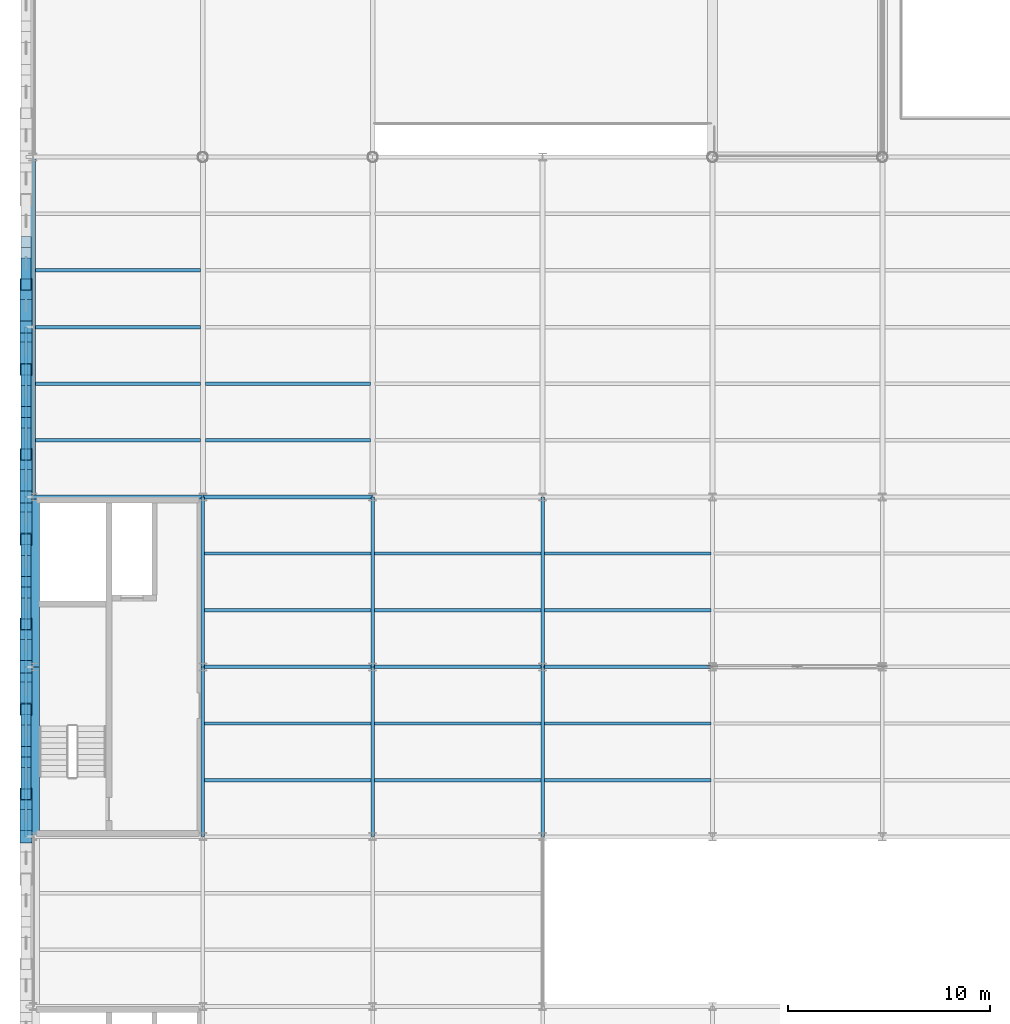
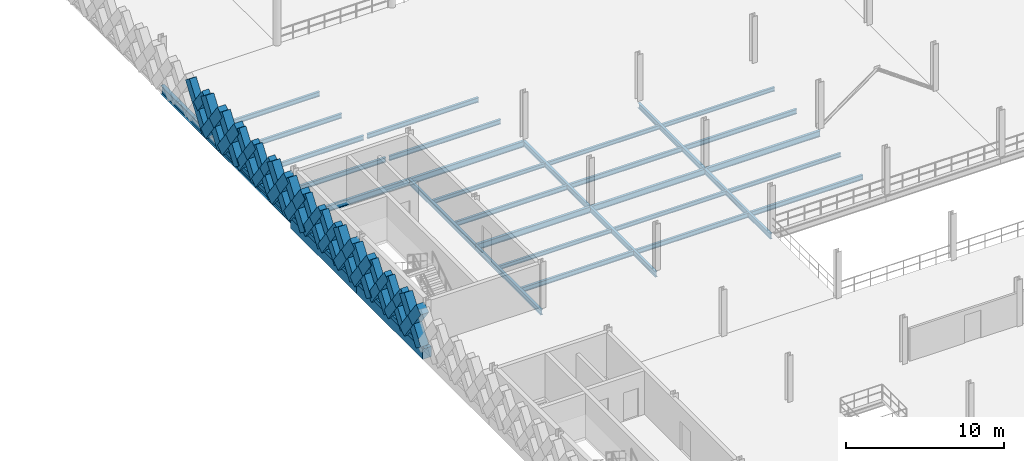
# One storey, part 35 of 101: 44 members, 32 beams.
"""IFC4 building model written with IfcOpenShell, lengths in metres."""

import ifcopenshell
import ifcopenshell.guid

model = None  # the IFC model being written
_history = None  # IfcOwnerHistory: only IFC2X3 demands one
_inside = {}  # id of a spatial element -> (the spatial element, [elements in it])
_under = {}  # id of a project, library or spatial element -> (it, [spatial elements below it])
_declared = {}  # id of a project -> (the project, [libraries it declares])
_typed = {}  # id of a type object -> (the type object, [elements of that type])
_made_of = {}  # id of a material, layer set ... -> (it, [elements and type objects made of it])


def new_model(schema):
    """Start an empty IFC model of exactly this schema.

    Asked for "IFC4X3", IfcOpenShell would pick the latest addendum, in which some entities
    have other attributes; the version numbers below select the first issue.
    IFC2X3 requires an IfcOwnerHistory on every rooted entity: one is made here for all.
    """
    global model, _history
    if schema == "IFC4X3":
        model = ifcopenshell.file(schema_version=(4, 3, 0, 0))
    else:
        model = ifcopenshell.file(schema=schema)
    _inside.clear()
    _under.clear()
    _declared.clear()
    _typed.clear()
    _made_of.clear()
    _history = None
    if model.schema == "IFC2X3":
        org = make("IfcOrganization", Name="unknown")
        user = make(
            "IfcPersonAndOrganization",
            ThePerson=make("IfcPerson", FamilyName="unknown"),
            TheOrganization=org,
        )
        app = make(
            "IfcApplication",
            ApplicationDeveloper=org,
            Version="unknown",
            ApplicationFullName="unknown",
            ApplicationIdentifier="unknown",
        )
        _history = make(
            "IfcOwnerHistory",
            OwningUser=user,
            OwningApplication=app,
            ChangeAction="ADDED",
            CreationDate=0,
        )
    return model


def make(cls, **values):
    """One entity of the class cls with the attributes given. An attribute that is None is left unset."""
    return model.create_entity(
        cls, **{name: value for name, value in values.items() if value is not None}
    )


def rooted(cls, **values):
    """An entity with a GlobalId (a new one), such as an element, a storey or a relation."""
    return make(cls, GlobalId=ifcopenshell.guid.new(), OwnerHistory=_history, **values)


def si_unit(unit_type, name, prefix=None):
    """IfcSIUnit, for example si_unit("LENGTHUNIT", "METRE", prefix="MILLI")."""
    return make("IfcSIUnit", UnitType=unit_type, Prefix=prefix, Name=name)


def assignment(units):
    """IfcUnitAssignment: the units of a project."""
    return None if units is None else make("IfcUnitAssignment", Units=units)


def point(xyz):
    """IfcCartesianPoint."""
    return None if xyz is None else make("IfcCartesianPoint", Coordinates=xyz)


def direction(xyz):
    """IfcDirection."""
    return None if xyz is None else make("IfcDirection", DirectionRatios=xyz)


def frame(location, z_axis=None, x_axis=None):
    """IfcAxis2Placement3D, a coordinate frame: its origin and axes. An axis left out is left unset."""
    return make(
        "IfcAxis2Placement3D",
        Location=point(location),
        Axis=direction(z_axis),
        RefDirection=direction(x_axis),
    )


def frame_2d(location, x_axis=None):
    """IfcAxis2Placement2D, a coordinate frame in the plane: its origin and x axis."""
    return make(
        "IfcAxis2Placement2D", Location=point(location), RefDirection=direction(x_axis)
    )


def origin():
    """The frame at (0, 0, 0) with its axes left unset."""
    return frame((0.0, 0.0, 0.0))


def origin_2d():
    """The frame at (0, 0) in the plane with its x axis left unset."""
    return frame_2d((0.0, 0.0))


def place(relative_to, where):
    """IfcLocalPlacement: puts the frame where relative to a parent placement (None: the world)."""
    return make(
        "IfcLocalPlacement", PlacementRelTo=relative_to, RelativePlacement=where
    )


def context(
    kind, dimensions, precision=None, world=None, true_north=None, identifier=None
):
    """IfcGeometricRepresentationContext, for example the 3D "Model" context."""
    return make(
        "IfcGeometricRepresentationContext",
        ContextIdentifier=identifier,
        ContextType=kind,
        CoordinateSpaceDimension=dimensions,
        Precision=precision,
        WorldCoordinateSystem=world,
        TrueNorth=true_north,
    )


def subcontext(parent, identifier, kind, view, scale=None):
    """IfcGeometricRepresentationSubContext, for example "Body" below "Model"."""
    return make(
        "IfcGeometricRepresentationSubContext",
        ContextIdentifier=identifier,
        ContextType=kind,
        ParentContext=parent,
        TargetScale=scale,
        TargetView=view,
    )


def project(units=None, contexts=None):
    """IfcProject with its units and contexts."""
    return rooted(
        "IfcProject",
        Name="project",
        RepresentationContexts=contexts,
        UnitsInContext=assignment(units),
    )


def spatial(cls, under=None, at=None, **own):
    """A site, building, storey or space (cls), placed at a placement, below another one or the project."""
    s = rooted(cls, ObjectPlacement=at, **own)
    if under is not None:
        _under.setdefault(under.id(), (under, []))[1].append(s)
    return s


def profile(cls, at=None, kind="AREA", **sizes):
    """A parametric profile (cls). Its sizes go by their IFC names, for example OverallWidth=200.0."""
    return make(cls, ProfileType=kind, Position=at, **sizes)


def rectangle(**sizes):
    """IfcRectangleProfileDef."""
    return profile("IfcRectangleProfileDef", **sizes)


def hollow_rectangle(**sizes):
    """IfcRectangleHollowProfileDef."""
    return profile("IfcRectangleHollowProfileDef", **sizes)


def i_section(**sizes):
    """IfcIShapeProfileDef."""
    return profile("IfcIShapeProfileDef", **sizes)


def extrude(swept, where, along, depth):
    """IfcExtrudedAreaSolid: the profile swept, set in the frame where, extruded along a direction by depth."""
    return make(
        "IfcExtrudedAreaSolid",
        SweptArea=swept,
        Position=where,
        ExtrudedDirection=direction(along),
        Depth=depth,
    )


def shape(context_of_items, identifier, shape_type, items):
    """IfcShapeRepresentation: the items that make up one representation, for example the "Body"."""
    return make(
        "IfcShapeRepresentation",
        ContextOfItems=context_of_items,
        RepresentationIdentifier=identifier,
        RepresentationType=shape_type,
        Items=items,
    )


def material(Name=None, Category=None):
    """IfcMaterial."""
    return make("IfcMaterial", Name=Name, Category=Category)


def material_profile(
    of_material, cross_section, Name=None, Category=None, Priority=None
):
    """IfcMaterialProfile: a cross section and its material."""
    return make(
        "IfcMaterialProfile",
        Name=Name,
        Material=of_material,
        Profile=cross_section,
        Priority=Priority,
        Category=Category,
    )


def profile_set(profiles, Name=None, composite=None):
    """IfcMaterialProfileSet."""
    return make(
        "IfcMaterialProfileSet",
        Name=Name,
        MaterialProfiles=profiles,
        CompositeProfile=composite,
    )


def made_of(thing, what):
    """Note that an element or type object is made of a material, layer set ...; save() writes the relation."""
    if what is not None:
        _made_of.setdefault(what.id(), (what, []))[1].append(thing)
    return thing


def type_object(cls, material=None, **own):
    """A type object (cls), such as IfcWallType, which elements share."""
    return made_of(rooted(cls, **own), material)


def element(
    cls,
    number,
    at=None,
    inside=None,
    cuts=None,
    type_object=None,
    material=None,
    context=None,
    identifier="Body",
    shape_type=None,
    held_by="IfcProductDefinitionShape",
    body=None,
    shapes=None,
    **own,
):
    """One element of the class cls, such as IfcWall. Its Tag is "e" and its number.

    at: its placement. inside: the storey or other place that contains it. cuts: it is an
    opening in that element (IfcRelVoidsElement). A single representation is given by context,
    identifier, shape_type and body (its items); several are given by shapes. held_by: the class
    of the entity that holds the representations. save() writes the other relations.
    """
    e = rooted(cls, Tag="e%d" % number, ObjectPlacement=at, **own)
    if body is not None:
        shapes = [shape(context, identifier, shape_type, body)]
    if shapes is not None:
        e.Representation = make(held_by, Representations=shapes)
    if inside is not None:
        _inside.setdefault(inside.id(), (inside, []))[1].append(e)
    if cuts is not None:
        rooted(
            "IfcRelVoidsElement", RelatingBuildingElement=cuts, RelatedOpeningElement=e
        )
    if type_object is not None:
        _typed.setdefault(type_object.id(), (type_object, []))[1].append(e)
    return made_of(e, material)


def aggregate(whole, parts):
    """IfcRelAggregates: a whole, such as a stair, and the parts it consists of."""
    return rooted("IfcRelAggregates", RelatingObject=whole, RelatedObjects=parts)


def save(model, path):
    """Write the relations noted so far, then the file.

    IfcRelAggregates (storeys below a building ...), IfcRelContainedInSpatialStructure (elements
    in a storey), IfcRelDefinesByType, IfcRelAssociatesMaterial and IfcRelDeclares: one each for
    every whole, place, type object, material and project.
    """
    for whole, parts in _under.values():
        aggregate(whole, parts)
    for where, things in _inside.values():
        rooted(
            "IfcRelContainedInSpatialStructure",
            RelatedElements=things,
            RelatingStructure=where,
        )
    for kind, things in _typed.values():
        rooted("IfcRelDefinesByType", RelatedObjects=things, RelatingType=kind)
    for what, things in _made_of.values():
        rooted("IfcRelAssociatesMaterial", RelatedObjects=things, RelatingMaterial=what)
    for by, libraries in _declared.values():
        rooted("IfcRelDeclares", RelatingContext=by, RelatedDefinitions=libraries)
    model.write(path)


model = new_model("IFC4")

# Units and contexts
model_context = context("Model", 3, precision=1e-05, world=origin(), true_north=direction((0.0, 1.0)))
body_context = subcontext(model_context, "Body", "Model", "MODEL_VIEW")
ifc_project = project(units=[si_unit("LENGTHUNIT", "METRE"), si_unit("AREAUNIT", "SQUARE_METRE"), si_unit("VOLUMEUNIT", "CUBIC_METRE"), si_unit("PLANEANGLEUNIT", "RADIAN"), si_unit("MASSUNIT", "GRAM", prefix="KILO"), si_unit("THERMODYNAMICTEMPERATUREUNIT", "KELVIN"), si_unit("POWERUNIT", "WATT")], contexts=[model_context])

# Site, building, storey
site_placement = place(None, origin())
site = spatial("IfcSite", under=ifc_project, at=site_placement, CompositionType="ELEMENT")
building_placement = place(site_placement, origin())
building = spatial("IfcBuilding", under=site, at=building_placement, Name="Tembeka Court Mobility Hub", CompositionType="ELEMENT")
storey_placement = place(building_placement, frame((0.0, 0.0, 5.39990234375)))
storey = spatial("IfcBuildingStorey", under=building, at=storey_placement, Name="L01", CompositionType="ELEMENT", Elevation=5.39990234375)

# Beams
ifc_material_1 = material(Name="Steel S355", Category="steel")
ifc_material_profile_1 = material_profile(ifc_material_1, i_section(OverallWidth=0.18994140625, OverallDepth=0.45703125, WebThickness=0.009033203125, FlangeThickness=0.014404296875, FilletRadius=0.01025390625, at=origin_2d()), Name="UKB 457x191x74")
ifc_profile_set_1 = profile_set([ifc_material_profile_1], Name="Steel S355")
beam_type_1 = type_object("IfcBeamType", Name="BM-B01", PredefinedType="BEAM", material=ifc_profile_set_1)
beam_1_placement = place(storey_placement, frame((8.39990234375, 72.0, -0.448486328125), z_axis=(1.0, 0.0, 0.0), x_axis=(0.0, 1.0, 0.0)))
element("IfcBeam", 1, at=beam_1_placement, inside=storey, type_object=beam_type_1, Name="Beam B01 (BM-L01-X0705)", PredefinedType="BEAM", context=body_context, shape_type="SweptSolid", body=[
    extrude(i_section(OverallWidth=0.18994140625, OverallDepth=0.45703125, WebThickness=0.009033203125, FlangeThickness=0.014404296875, FilletRadius=0.01025390625, at=origin_2d()), origin(), (0.0, 0.0, 1.0), 8.400146484375),
])
beam_2_placement = place(storey_placement, frame((16.800048828125, 72.0, -0.448486328125), z_axis=(1.0, 0.0, 0.0), x_axis=(0.0, 1.0, 0.0)))
element("IfcBeam", 2, at=beam_2_placement, inside=storey, type_object=beam_type_1, Name="Beam B01 (BM-L01-X0706)", PredefinedType="BEAM", context=body_context, shape_type="SweptSolid", body=[
    extrude(i_section(OverallWidth=0.18994140625, OverallDepth=0.45703125, WebThickness=0.009033203125, FlangeThickness=0.014404296875, FilletRadius=0.01025390625, at=origin_2d()), origin(), (0.0, 0.0, 1.0), 8.39990234375),
])
beam_3_placement = place(storey_placement, frame((25.199951171875, 72.0, -0.448486328125), z_axis=(1.0, 0.0, 0.0), x_axis=(0.0, 1.0, 0.0)))
element("IfcBeam", 3, at=beam_3_placement, inside=storey, type_object=beam_type_1, Name="Beam B01 (BM-L01-X0707)", PredefinedType="BEAM", context=body_context, shape_type="SweptSolid", body=[
    extrude(i_section(OverallWidth=0.18994140625, OverallDepth=0.45703125, WebThickness=0.009033203125, FlangeThickness=0.014404296875, FilletRadius=0.01025390625, at=origin_2d()), origin(), (0.0, 0.0, 1.0), 8.400146484375),
])
beam_4_placement = place(storey_placement, frame((0.0, 80.39990234375, -0.448486328125), z_axis=(1.0, 0.0, 0.0), x_axis=(0.0, 1.0, 0.0)))
element("IfcBeam", 4, at=beam_4_placement, inside=storey, type_object=beam_type_1, Name="Beam B01 (BM-L01-X0716)", PredefinedType="BEAM", context=body_context, shape_type="SweptSolid", body=[
    extrude(i_section(OverallWidth=0.18994140625, OverallDepth=0.45703125, WebThickness=0.009033203125, FlangeThickness=0.014404296875, FilletRadius=0.01025390625, at=origin_2d()), origin(), (0.0, 0.0, 1.0), 8.39990234375),
])
beam_5_placement = place(storey_placement, frame((8.39990234375, 80.39990234375, -0.448486328125), z_axis=(1.0, 0.0, 0.0), x_axis=(0.0, 1.0, 0.0)))
element("IfcBeam", 5, at=beam_5_placement, inside=storey, type_object=beam_type_1, Name="Beam B01 (BM-L01-X0717)", PredefinedType="BEAM", context=body_context, shape_type="SweptSolid", body=[
    extrude(i_section(OverallWidth=0.18994140625, OverallDepth=0.45703125, WebThickness=0.009033203125, FlangeThickness=0.014404296875, FilletRadius=0.01025390625, at=origin_2d()), origin(), (0.0, 0.0, 1.0), 8.400146484375),
])
ifc_material_profile_2 = material_profile(ifc_material_1, i_section(OverallWidth=0.177978515625, OverallDepth=0.406005859375, WebThickness=0.0078125, FlangeThickness=0.0126953125, FilletRadius=0.01025390625, at=origin_2d()), Name="UKB 406x178x60")
ifc_profile_set_2 = profile_set([ifc_material_profile_2], Name="Steel S355")
beam_type_2 = type_object("IfcBeamType", Name="BM-B02", PredefinedType="BEAM", material=ifc_profile_set_2)
for number, where, z_axis, x_axis, name in (
    (6, (8.39990234375, 63.60009765625, -0.4228515625), (0.0, 1.0, 0.0), (-1.0, 0.0, 0.0), "Beam B02 (BM-L01-Y0778)"),
    (7, (8.39990234375, 72.0, -0.4228515625), (0.0, 1.0, 0.0), (-1.0, 0.0, 0.0), "Beam B02 (BM-L01-Y0779)"),
    (8, (16.800048828125, 63.60009765625, -0.4228515625), (0.0, 1.0, 0.0), (-1.0, 0.0, 0.0), "Beam B02 (BM-L01-Y0789)"),
    (9, (16.800048828125, 72.0, -0.4228515625), (0.0, 1.0, 0.0), (-1.0, 0.0, 0.0), "Beam B02 (BM-L01-Y0790)"),
    (10, (25.199951171875, 63.60009765625, -0.4228515625), (0.0, 1.0, 0.0), (-1.0, 0.0, 0.0), "Beam B02 (BM-L01-Y0798)"),
    (11, (25.199951171875, 72.0, -0.4228515625), (0.0, 1.0, 0.0), (-1.0, 0.0, 0.0), "Beam B02 (BM-L01-Y0799)"),
):
    element("IfcBeam", number, at=place(storey_placement, frame(where, z_axis=z_axis, x_axis=x_axis)), inside=storey, type_object=beam_type_2, Name=name, PredefinedType="BEAM", context=body_context, shape_type="SweptSolid", body=[
        extrude(i_section(OverallWidth=0.177978515625, OverallDepth=0.406005859375, WebThickness=0.0078125, FlangeThickness=0.0126953125, FilletRadius=0.01025390625, at=origin_2d()), origin(), (0.0, 0.0, 1.0), 8.39990234375),
    ])
ifc_material_profile_3 = material_profile(ifc_material_1, i_section(OverallWidth=0.25390625, OverallDepth=0.68408203125, WebThickness=0.012451171875, FlangeThickness=0.01904296875, FilletRadius=0.01513671875, at=origin_2d()), Name="UKB 686x254x140")
ifc_profile_set_3 = profile_set([ifc_material_profile_3], Name="Steel S355")
beam_type_3 = type_object("IfcBeamType", Name="BM-G01", PredefinedType="USERDEFINED", material=ifc_profile_set_3)
beam_6_placement = place(storey_placement, frame((0.0, 80.39990234375, -0.56201171875), z_axis=(0.0, 1.0, 0.0), x_axis=(-1.0, 0.0, 0.0)))
element("IfcBeam", 12, at=beam_6_placement, inside=storey, type_object=beam_type_3, Name="Beam G01 (BM-L01-Y0769)", ObjectType="GIRDER", PredefinedType="USERDEFINED", context=body_context, shape_type="SweptSolid", body=[
    extrude(i_section(OverallWidth=0.25390625, OverallDepth=0.68408203125, WebThickness=0.012451171875, FlangeThickness=0.01904296875, FilletRadius=0.01513671875, at=origin_2d()), origin(), (0.0, 0.0, 1.0), 16.800048828125),
])
ifc_material_profile_4 = material_profile(ifc_material_1, i_section(OverallWidth=0.172119140625, OverallDepth=0.35498046875, WebThickness=0.00732421875, FlangeThickness=0.011474609375, FilletRadius=0.01025390625, at=origin_2d()), Name="UKB 356x171x51")
ifc_profile_set_4 = profile_set([ifc_material_profile_4], Name="Steel S355")
beam_type_4 = type_object("IfcBeamType", Name="BM-J01", PredefinedType="JOIST", material=ifc_profile_set_4)
for number, where, z_axis, x_axis, name in (
    (13, (0.1220703125, 83.199951171875, -0.3974609375), (1.0, 0.0, 0.0), (0.0, 1.0, 0.0), "Beam J01 (JST-L01-0918)"),
    (14, (0.1220703125, 86.0, -0.3974609375), (1.0, 0.0, 0.0), (0.0, 1.0, 0.0), "Beam J01 (JST-L01-0919)"),
    (15, (0.1220703125, 88.800048828125, -0.3974609375), (1.0, 0.0, 0.0), (0.0, 1.0, 0.0), "Beam J01 (JST-L01-0920)"),
    (16, (0.1220703125, 91.60009765625, -0.3974609375), (1.0, 0.0, 0.0), (0.0, 1.0, 0.0), "Beam J01 (JST-L01-0921)"),
    (17, (8.52197265625, 83.199951171875, -0.3974609375), (1.0, 0.0, 0.0), (0.0, 1.0, 0.0), "Beam J01 (JST-L01-0938)"),
    (18, (8.52197265625, 86.0, -0.3974609375), (1.0, 0.0, 0.0), (0.0, 1.0, 0.0), "Beam J01 (JST-L01-0939)"),
):
    element("IfcBeam", number, at=place(storey_placement, frame(where, z_axis=z_axis, x_axis=x_axis)), inside=storey, type_object=beam_type_4, Name=name, PredefinedType="JOIST", context=body_context, shape_type="SweptSolid", body=[
        extrude(i_section(OverallWidth=0.172119140625, OverallDepth=0.35498046875, WebThickness=0.00732421875, FlangeThickness=0.011474609375, FilletRadius=0.01025390625, at=origin_2d()), origin(), (0.0, 0.0, 1.0), 8.156005859375),
    ])
ifc_material_profile_5 = material_profile(ifc_material_1, i_section(OverallWidth=0.1650390625, OverallDepth=0.303955078125, WebThickness=0.006103515625, FlangeThickness=0.01025390625, FilletRadius=0.0087890625, at=origin_2d()), Name="UKB 305x165x40")
ifc_profile_set_5 = profile_set([ifc_material_profile_5], Name="Steel S355")
beam_type_5 = type_object("IfcBeamType", Name="BM-J02", PredefinedType="JOIST", material=ifc_profile_set_5)
for number, where, z_axis, x_axis, name in (
    (19, (8.48388671875, 69.199951171875, -0.371826171875), (1.0, 0.0, 0.0), (0.0, 1.0, 0.0), "Beam J02 (JST-L01-0935)"),
    (20, (8.48388671875, 77.60009765625, -0.371826171875), (1.0, 0.0, 0.0), (0.0, 1.0, 0.0), "Beam J02 (JST-L01-0937)"),
):
    element("IfcBeam", number, at=place(storey_placement, frame(where, z_axis=z_axis, x_axis=x_axis)), inside=storey, type_object=beam_type_5, Name=name, PredefinedType="JOIST", context=body_context, shape_type="SweptSolid", body=[
        extrude(i_section(OverallWidth=0.1650390625, OverallDepth=0.303955078125, WebThickness=0.006103515625, FlangeThickness=0.01025390625, FilletRadius=0.0087890625, at=origin_2d()), origin(), (0.0, 0.0, 1.0), 8.232177734375),
    ])
for number, where, z_axis, x_axis, name in (
    (21, (16.884033203125, 69.199951171875, -0.371826171875), (1.0, 0.0, 0.0), (0.0, 1.0, 0.0), "Beam J02 (JST-L01-0955)"),
    (22, (16.884033203125, 77.60009765625, -0.371826171875), (1.0, 0.0, 0.0), (0.0, 1.0, 0.0), "Beam J02 (JST-L01-0957)"),
):
    element("IfcBeam", number, at=place(storey_placement, frame(where, z_axis=z_axis, x_axis=x_axis)), inside=storey, type_object=beam_type_5, Name=name, PredefinedType="JOIST", context=body_context, shape_type="SweptSolid", body=[
        extrude(i_section(OverallWidth=0.1650390625, OverallDepth=0.303955078125, WebThickness=0.006103515625, FlangeThickness=0.01025390625, FilletRadius=0.0087890625, at=origin_2d()), origin(), (0.0, 0.0, 1.0), 8.23193359375),
    ])
for number, where, z_axis, x_axis, name in (
    (23, (25.283935546875, 69.199951171875, -0.371826171875), (1.0, 0.0, 0.0), (0.0, 1.0, 0.0), "Beam J02 (JST-L01-0973)"),
    (24, (25.283935546875, 77.60009765625, -0.371826171875), (1.0, 0.0, 0.0), (0.0, 1.0, 0.0), "Beam J02 (JST-L01-0975)"),
):
    element("IfcBeam", number, at=place(storey_placement, frame(where, z_axis=z_axis, x_axis=x_axis)), inside=storey, type_object=beam_type_5, Name=name, PredefinedType="JOIST", context=body_context, shape_type="SweptSolid", body=[
        extrude(i_section(OverallWidth=0.1650390625, OverallDepth=0.303955078125, WebThickness=0.006103515625, FlangeThickness=0.01025390625, FilletRadius=0.0087890625, at=origin_2d()), origin(), (0.0, 0.0, 1.0), 8.232177734375),
    ])
ifc_material_profile_6 = material_profile(ifc_material_1, i_section(OverallWidth=0.169921875, OverallDepth=0.360107421875, WebThickness=0.008056640625, FlangeThickness=0.0126953125, FilletRadius=0.01806640625, at=origin_2d()), Name="IPE 360")
ifc_profile_set_6 = profile_set([ifc_material_profile_6], Name="Steel S355")
beam_type_6 = type_object("IfcBeamType", Name="BM-J03", PredefinedType="JOIST", material=ifc_profile_set_6)
for number, where, z_axis, x_axis, name in (
    (25, (8.48388671875, 66.39990234375, -0.39990234375), (1.0, 0.0, 0.0), (0.0, 1.0, 0.0), "Beam J03 (JST-L01-0934)"),
    (26, (8.48388671875, 74.800048828125, -0.39990234375), (1.0, 0.0, 0.0), (0.0, 1.0, 0.0), "Beam J03 (JST-L01-0936)"),
):
    element("IfcBeam", number, at=place(storey_placement, frame(where, z_axis=z_axis, x_axis=x_axis)), inside=storey, type_object=beam_type_6, Name=name, PredefinedType="JOIST", context=body_context, shape_type="SweptSolid", body=[
        extrude(i_section(OverallWidth=0.169921875, OverallDepth=0.360107421875, WebThickness=0.008056640625, FlangeThickness=0.0126953125, FilletRadius=0.01806640625, at=origin_2d()), origin(), (0.0, 0.0, 1.0), 8.232177734375),
    ])
for number, where, z_axis, x_axis, name in (
    (27, (16.884033203125, 66.39990234375, -0.39990234375), (1.0, 0.0, 0.0), (0.0, 1.0, 0.0), "Beam J03 (JST-L01-0954)"),
    (28, (16.884033203125, 74.800048828125, -0.39990234375), (1.0, 0.0, 0.0), (0.0, 1.0, 0.0), "Beam J03 (JST-L01-0956)"),
):
    element("IfcBeam", number, at=place(storey_placement, frame(where, z_axis=z_axis, x_axis=x_axis)), inside=storey, type_object=beam_type_6, Name=name, PredefinedType="JOIST", context=body_context, shape_type="SweptSolid", body=[
        extrude(i_section(OverallWidth=0.169921875, OverallDepth=0.360107421875, WebThickness=0.008056640625, FlangeThickness=0.0126953125, FilletRadius=0.01806640625, at=origin_2d()), origin(), (0.0, 0.0, 1.0), 8.23193359375),
    ])
for number, where, z_axis, x_axis, name in (
    (29, (25.283935546875, 66.39990234375, -0.39990234375), (1.0, 0.0, 0.0), (0.0, 1.0, 0.0), "Beam J03 (JST-L01-0972)"),
    (30, (25.283935546875, 74.800048828125, -0.39990234375), (1.0, 0.0, 0.0), (0.0, 1.0, 0.0), "Beam J03 (JST-L01-0974)"),
):
    element("IfcBeam", number, at=place(storey_placement, frame(where, z_axis=z_axis, x_axis=x_axis)), inside=storey, type_object=beam_type_6, Name=name, PredefinedType="JOIST", context=body_context, shape_type="SweptSolid", body=[
        extrude(i_section(OverallWidth=0.169921875, OverallDepth=0.360107421875, WebThickness=0.008056640625, FlangeThickness=0.0126953125, FilletRadius=0.01806640625, at=origin_2d()), origin(), (0.0, 0.0, 1.0), 8.232177734375),
    ])
ifc_material_2 = material(Name="Precast concrete C45/55", Category="concrete")
ifc_material_profile_7 = material_profile(ifc_material_2, rectangle(XDim=0.64990234375, YDim=0.800048828125, at=origin_2d()), Name="PC-SP 650x800")
ifc_profile_set_7 = profile_set([ifc_material_profile_7], Name="Precast concrete C45/55")
beam_type_7 = type_object("IfcBeamType", Name="BM-SP01", PredefinedType="SPANDREL", material=ifc_profile_set_7)
for number, where, z_axis, x_axis, name in (
    (31, (0.0, 63.60009765625, -0.619873046875), (0.0, 1.0, 0.0), (-1.0, 0.0, 0.0), "Beam SP01 (BM-L01-Y0767)"),
    (32, (0.0, 72.0, -0.619873046875), (0.0, 1.0, 0.0), (-1.0, 0.0, 0.0), "Beam SP01 (BM-L01-Y0768)"),
):
    element("IfcBeam", number, at=place(storey_placement, frame(where, z_axis=z_axis, x_axis=x_axis)), inside=storey, type_object=beam_type_7, Name=name, PredefinedType="SPANDREL", context=body_context, shape_type="SweptSolid", body=[
        extrude(rectangle(XDim=0.64990234375, YDim=0.800048828125, at=origin_2d()), origin(), (0.0, 0.0, 1.0), 8.39990234375),
    ])

# Members
ifc_material_profile_8 = material_profile(ifc_material_2, rectangle(XDim=0.5, YDim=0.64990234375, at=origin_2d()), Name="PC-DIAG 500x650")
ifc_profile_set_8 = profile_set([ifc_material_profile_8], Name="Precast concrete C45/55")
member_type_1 = type_object("IfcMemberType", Name="MEM-DL01", PredefinedType="BRACE", material=ifc_profile_set_8)
member_1_placement = place(storey_placement, frame((-0.340087890625, 65.699951171875, 0.02001953125), z_axis=(0.0, 0.582544294934, 0.812798956963), x_axis=(-1.0, 0.0, 0.0)))
element("IfcMember", 33, at=member_1_placement, inside=storey, type_object=member_type_1, Name="Precast diamond lattice continuous strand DL01 (L01-120C)", PredefinedType="BRACE", context=body_context, shape_type="SweptSolid", body=[
    extrude(rectangle(XDim=0.5, YDim=0.64990234375, at=origin_2d()), origin(), (0.0, 0.0, 1.0), 3.60498046875),
])
for number, where, z_axis, x_axis, name in (
    (34, (-0.340087890625, 67.800048828125, 0.02001953125), (0.0, -0.582544294934, 0.812798956963), (1.0, 0.0, 0.0), "Precast diamond lattice split lower strand DL01 (L01-120D1)"),
    (35, (-0.340087890625, 66.75, 1.485107421875), (0.0, -0.582544294934, 0.812798956963), (1.0, 0.0, 0.0), "Precast diamond lattice split upper strand DL01 (L01-120D2)"),
):
    element("IfcMember", number, at=place(storey_placement, frame(where, z_axis=z_axis, x_axis=x_axis)), inside=storey, type_object=member_type_1, Name=name, PredefinedType="BRACE", context=body_context, shape_type="SweptSolid", body=[
        extrude(rectangle(XDim=0.5, YDim=0.64990234375, at=origin_2d()), origin(), (0.0, 0.0, 1.0), 1.802490234375),
    ])
member_2_placement = place(storey_placement, frame((-0.340087890625, 67.800048828125, 0.02001953125), z_axis=(0.0, 0.582499552306, 0.812831022762), x_axis=(-1.0, 0.0, 0.0)))
element("IfcMember", 36, at=member_2_placement, inside=storey, type_object=member_type_1, Name="Precast diamond lattice continuous strand DL01 (L01-121C)", PredefinedType="BRACE", context=body_context, shape_type="SweptSolid", body=[
    extrude(rectangle(XDim=0.5, YDim=0.64990234375, at=origin_2d()), origin(), (0.0, 0.0, 1.0), 3.60498046875),
])
for number, where, z_axis, x_axis, name in (
    (37, (-0.340087890625, 69.89990234375, 0.02001953125), (0.0, -0.582454804382, 0.812863088627), (1.0, 0.0, 0.0), "Precast diamond lattice split lower strand DL01 (L01-121D1)"),
    (38, (-0.340087890625, 68.85009765625, 1.485107421875), (0.0, -0.582544294934, 0.812798956963), (1.0, 0.0, 0.0), "Precast diamond lattice split upper strand DL01 (L01-121D2)"),
):
    element("IfcMember", number, at=place(storey_placement, frame(where, z_axis=z_axis, x_axis=x_axis)), inside=storey, type_object=member_type_1, Name=name, PredefinedType="BRACE", context=body_context, shape_type="SweptSolid", body=[
        extrude(rectangle(XDim=0.5, YDim=0.64990234375, at=origin_2d()), origin(), (0.0, 0.0, 1.0), 1.802490234375),
    ])
member_3_placement = place(storey_placement, frame((-0.340087890625, 74.10009765625, 0.02001953125), z_axis=(0.0, 0.582499552306, 0.812831022762), x_axis=(-1.0, 0.0, 0.0)))
element("IfcMember", 39, at=member_3_placement, inside=storey, type_object=member_type_1, Name="Precast diamond lattice continuous strand DL01 (L01-124C)", PredefinedType="BRACE", context=body_context, shape_type="SweptSolid", body=[
    extrude(rectangle(XDim=0.5, YDim=0.64990234375, at=origin_2d()), origin(), (0.0, 0.0, 1.0), 3.60498046875),
])
for number, where, z_axis, x_axis, name in (
    (40, (-0.340087890625, 76.199951171875, 0.02001953125), (0.0, -0.582544294934, 0.812798956963), (1.0, 0.0, 0.0), "Precast diamond lattice split lower strand DL01 (L01-124D1)"),
    (41, (-0.340087890625, 75.14990234375, 1.485107421875), (0.0, -0.582454804382, 0.812863088627), (1.0, 0.0, 0.0), "Precast diamond lattice split upper strand DL01 (L01-124D2)"),
):
    element("IfcMember", number, at=place(storey_placement, frame(where, z_axis=z_axis, x_axis=x_axis)), inside=storey, type_object=member_type_1, Name=name, PredefinedType="BRACE", context=body_context, shape_type="SweptSolid", body=[
        extrude(rectangle(XDim=0.5, YDim=0.64990234375, at=origin_2d()), origin(), (0.0, 0.0, 1.0), 1.802490234375),
    ])
member_4_placement = place(storey_placement, frame((-0.340087890625, 76.199951171875, 0.02001953125), z_axis=(0.0, 0.582544294934, 0.812798956963), x_axis=(-1.0, 0.0, 0.0)))
element("IfcMember", 42, at=member_4_placement, inside=storey, type_object=member_type_1, Name="Precast diamond lattice continuous strand DL01 (L01-125C)", PredefinedType="BRACE", context=body_context, shape_type="SweptSolid", body=[
    extrude(rectangle(XDim=0.5, YDim=0.64990234375, at=origin_2d()), origin(), (0.0, 0.0, 1.0), 3.60498046875),
])
for number, where, z_axis, x_axis, name in (
    (43, (-0.340087890625, 78.300048828125, 0.02001953125), (0.0, -0.582544294934, 0.812798956963), (1.0, 0.0, 0.0), "Precast diamond lattice split lower strand DL01 (L01-125D1)"),
    (44, (-0.340087890625, 77.25, 1.485107421875), (0.0, -0.582544294934, 0.812798956963), (1.0, 0.0, 0.0), "Precast diamond lattice split upper strand DL01 (L01-125D2)"),
):
    element("IfcMember", number, at=place(storey_placement, frame(where, z_axis=z_axis, x_axis=x_axis)), inside=storey, type_object=member_type_1, Name=name, PredefinedType="BRACE", context=body_context, shape_type="SweptSolid", body=[
        extrude(rectangle(XDim=0.5, YDim=0.64990234375, at=origin_2d()), origin(), (0.0, 0.0, 1.0), 1.802490234375),
    ])
member_5_placement = place(storey_placement, frame((-0.340087890625, 82.5, 0.02001953125), z_axis=(0.0, 0.582544294934, 0.812798956963), x_axis=(-1.0, 0.0, 0.0)))
element("IfcMember", 45, at=member_5_placement, inside=storey, type_object=member_type_1, Name="Precast diamond lattice continuous strand DL01 (L01-128C)", PredefinedType="BRACE", context=body_context, shape_type="SweptSolid", body=[
    extrude(rectangle(XDim=0.5, YDim=0.64990234375, at=origin_2d()), origin(), (0.0, 0.0, 1.0), 3.60498046875),
])
for number, where, z_axis, x_axis, name in (
    (46, (-0.340087890625, 84.60009765625, 0.02001953125), (0.0, -0.582544294934, 0.812798956963), (1.0, 0.0, 0.0), "Precast diamond lattice split lower strand DL01 (L01-128D1)"),
    (47, (-0.340087890625, 83.550048828125, 1.485107421875), (0.0, -0.582544294934, 0.812798956963), (1.0, 0.0, 0.0), "Precast diamond lattice split upper strand DL01 (L01-128D2)"),
):
    element("IfcMember", number, at=place(storey_placement, frame(where, z_axis=z_axis, x_axis=x_axis)), inside=storey, type_object=member_type_1, Name=name, PredefinedType="BRACE", context=body_context, shape_type="SweptSolid", body=[
        extrude(rectangle(XDim=0.5, YDim=0.64990234375, at=origin_2d()), origin(), (0.0, 0.0, 1.0), 1.802490234375),
    ])
member_6_placement = place(storey_placement, frame((-0.340087890625, 84.60009765625, 0.02001953125), z_axis=(0.0, 0.582499552306, 0.812831022762), x_axis=(-1.0, 0.0, 0.0)))
element("IfcMember", 48, at=member_6_placement, inside=storey, type_object=member_type_1, Name="Precast diamond lattice continuous strand DL01 (L01-129C)", PredefinedType="BRACE", context=body_context, shape_type="SweptSolid", body=[
    extrude(rectangle(XDim=0.5, YDim=0.64990234375, at=origin_2d()), origin(), (0.0, 0.0, 1.0), 3.60498046875),
])
for number, where, z_axis, x_axis, name in (
    (49, (-0.340087890625, 86.699951171875, 0.02001953125), (0.0, -0.582544294934, 0.812798956963), (1.0, 0.0, 0.0), "Precast diamond lattice split lower strand DL01 (L01-129D1)"),
    (50, (-0.340087890625, 85.64990234375, 1.485107421875), (0.0, -0.582454804382, 0.812863088627), (1.0, 0.0, 0.0), "Precast diamond lattice split upper strand DL01 (L01-129D2)"),
):
    element("IfcMember", number, at=place(storey_placement, frame(where, z_axis=z_axis, x_axis=x_axis)), inside=storey, type_object=member_type_1, Name=name, PredefinedType="BRACE", context=body_context, shape_type="SweptSolid", body=[
        extrude(rectangle(XDim=0.5, YDim=0.64990234375, at=origin_2d()), origin(), (0.0, 0.0, 1.0), 1.802490234375),
    ])
member_7_placement = place(storey_placement, frame((-0.340087890625, 90.89990234375, 0.02001953125), z_axis=(0.0, 0.582544294934, 0.812798956963), x_axis=(-1.0, 0.0, 0.0)))
element("IfcMember", 51, at=member_7_placement, inside=storey, type_object=member_type_1, Name="Precast diamond lattice continuous strand DL01 (L01-132C)", PredefinedType="BRACE", context=body_context, shape_type="SweptSolid", body=[
    extrude(rectangle(XDim=0.5, YDim=0.64990234375, at=origin_2d()), origin(), (0.0, 0.0, 1.0), 3.60498046875),
])
member_8_placement = place(storey_placement, frame((-0.340087890625, 91.949951171875, 1.485107421875), z_axis=(0.0, -0.582544294934, 0.812798956963), x_axis=(1.0, 0.0, 0.0)))
element("IfcMember", 52, at=member_8_placement, inside=storey, type_object=member_type_1, Name="Precast diamond lattice split upper strand DL01 (L01-132D2)", PredefinedType="BRACE", context=body_context, shape_type="SweptSolid", body=[
    extrude(rectangle(XDim=0.5, YDim=0.64990234375, at=origin_2d()), origin(), (0.0, 0.0, 1.0), 1.802490234375),
])
ifc_material_profile_9 = material_profile(ifc_material_2, rectangle(XDim=0.60009765625, YDim=0.75, at=origin_2d()), Name="PC-DIAG 600x750")
ifc_profile_set_9 = profile_set([ifc_material_profile_9], Name="Precast concrete C45/55")
member_type_2 = type_object("IfcMemberType", Name="MEM-DL02", PredefinedType="BRACE", material=ifc_profile_set_9)
member_9_placement = place(storey_placement, frame((-0.340087890625, 63.60009765625, 0.02001953125), z_axis=(0.0, 0.582499552306, 0.812831022762), x_axis=(-1.0, 0.0, 0.0)))
element("IfcMember", 53, at=member_9_placement, inside=storey, type_object=member_type_2, Name="Precast diamond lattice continuous strand DL02 (L01-119C)", PredefinedType="BRACE", context=body_context, shape_type="SweptSolid", body=[
    extrude(rectangle(XDim=0.60009765625, YDim=0.75, at=origin_2d()), origin(), (0.0, 0.0, 1.0), 3.60498046875),
])
for number, where, z_axis, x_axis, name in (
    (54, (-0.340087890625, 65.699951171875, 0.02001953125), (0.0, -0.582544294934, 0.812798956963), (1.0, 0.0, 0.0), "Precast diamond lattice split lower strand DL02 (L01-119D1)"),
    (55, (-0.340087890625, 64.64990234375, 1.485107421875), (0.0, -0.582454804382, 0.812863088627), (1.0, 0.0, 0.0), "Precast diamond lattice split upper strand DL02 (L01-119D2)"),
):
    element("IfcMember", number, at=place(storey_placement, frame(where, z_axis=z_axis, x_axis=x_axis)), inside=storey, type_object=member_type_2, Name=name, PredefinedType="BRACE", context=body_context, shape_type="SweptSolid", body=[
        extrude(rectangle(XDim=0.60009765625, YDim=0.75, at=origin_2d()), origin(), (0.0, 0.0, 1.0), 1.802490234375),
    ])
member_10_placement = place(storey_placement, frame((-0.340087890625, 69.89990234375, 0.02001953125), z_axis=(0.0, 0.582544294934, 0.812798956963), x_axis=(-1.0, 0.0, 0.0)))
element("IfcMember", 56, at=member_10_placement, inside=storey, type_object=member_type_2, Name="Precast diamond lattice continuous strand DL02 (L01-122C)", PredefinedType="BRACE", context=body_context, shape_type="SweptSolid", body=[
    extrude(rectangle(XDim=0.60009765625, YDim=0.75, at=origin_2d()), origin(), (0.0, 0.0, 1.0), 3.60498046875),
])
for number, where, z_axis, x_axis, name in (
    (57, (-0.340087890625, 72.0, 0.02001953125), (0.0, -0.582544294934, 0.812798956963), (1.0, 0.0, 0.0), "Precast diamond lattice split lower strand DL02 (L01-122D1)"),
    (58, (-0.340087890625, 70.949951171875, 1.485107421875), (0.0, -0.582544294934, 0.812798956963), (1.0, 0.0, 0.0), "Precast diamond lattice split upper strand DL02 (L01-122D2)"),
):
    element("IfcMember", number, at=place(storey_placement, frame(where, z_axis=z_axis, x_axis=x_axis)), inside=storey, type_object=member_type_2, Name=name, PredefinedType="BRACE", context=body_context, shape_type="SweptSolid", body=[
        extrude(rectangle(XDim=0.60009765625, YDim=0.75, at=origin_2d()), origin(), (0.0, 0.0, 1.0), 1.802490234375),
    ])
member_11_placement = place(storey_placement, frame((-0.340087890625, 72.0, 0.02001953125), z_axis=(0.0, 0.582544294934, 0.812798956963), x_axis=(-1.0, 0.0, 0.0)))
element("IfcMember", 59, at=member_11_placement, inside=storey, type_object=member_type_2, Name="Precast diamond lattice continuous strand DL02 (L01-123C)", PredefinedType="BRACE", context=body_context, shape_type="SweptSolid", body=[
    extrude(rectangle(XDim=0.60009765625, YDim=0.75, at=origin_2d()), origin(), (0.0, 0.0, 1.0), 3.60498046875),
])
for number, where, z_axis, x_axis, name in (
    (60, (-0.340087890625, 74.10009765625, 0.02001953125), (0.0, -0.582544294934, 0.812798956963), (1.0, 0.0, 0.0), "Precast diamond lattice split lower strand DL02 (L01-123D1)"),
    (61, (-0.340087890625, 73.050048828125, 1.485107421875), (0.0, -0.582544294934, 0.812798956963), (1.0, 0.0, 0.0), "Precast diamond lattice split upper strand DL02 (L01-123D2)"),
):
    element("IfcMember", number, at=place(storey_placement, frame(where, z_axis=z_axis, x_axis=x_axis)), inside=storey, type_object=member_type_2, Name=name, PredefinedType="BRACE", context=body_context, shape_type="SweptSolid", body=[
        extrude(rectangle(XDim=0.60009765625, YDim=0.75, at=origin_2d()), origin(), (0.0, 0.0, 1.0), 1.802490234375),
    ])
member_12_placement = place(storey_placement, frame((-0.340087890625, 78.300048828125, 0.02001953125), z_axis=(0.0, 0.582499552306, 0.812831022762), x_axis=(-1.0, 0.0, 0.0)))
element("IfcMember", 62, at=member_12_placement, inside=storey, type_object=member_type_2, Name="Precast diamond lattice continuous strand DL02 (L01-126C)", PredefinedType="BRACE", context=body_context, shape_type="SweptSolid", body=[
    extrude(rectangle(XDim=0.60009765625, YDim=0.75, at=origin_2d()), origin(), (0.0, 0.0, 1.0), 3.60498046875),
])
for number, where, z_axis, x_axis, name in (
    (63, (-0.340087890625, 80.39990234375, 0.02001953125), (0.0, -0.582454804382, 0.812863088627), (1.0, 0.0, 0.0), "Precast diamond lattice split lower strand DL02 (L01-126D1)"),
    (64, (-0.340087890625, 79.35009765625, 1.485107421875), (0.0, -0.582544294934, 0.812798956963), (1.0, 0.0, 0.0), "Precast diamond lattice split upper strand DL02 (L01-126D2)"),
):
    element("IfcMember", number, at=place(storey_placement, frame(where, z_axis=z_axis, x_axis=x_axis)), inside=storey, type_object=member_type_2, Name=name, PredefinedType="BRACE", context=body_context, shape_type="SweptSolid", body=[
        extrude(rectangle(XDim=0.60009765625, YDim=0.75, at=origin_2d()), origin(), (0.0, 0.0, 1.0), 1.802490234375),
    ])
member_13_placement = place(storey_placement, frame((-0.340087890625, 80.39990234375, 0.02001953125), z_axis=(0.0, 0.582544294934, 0.812798956963), x_axis=(-1.0, 0.0, 0.0)))
element("IfcMember", 65, at=member_13_placement, inside=storey, type_object=member_type_2, Name="Precast diamond lattice continuous strand DL02 (L01-127C)", PredefinedType="BRACE", context=body_context, shape_type="SweptSolid", body=[
    extrude(rectangle(XDim=0.60009765625, YDim=0.75, at=origin_2d()), origin(), (0.0, 0.0, 1.0), 3.60498046875),
])
for number, where, z_axis, x_axis, name in (
    (66, (-0.340087890625, 82.5, 0.02001953125), (0.0, -0.582544294934, 0.812798956963), (1.0, 0.0, 0.0), "Precast diamond lattice split lower strand DL02 (L01-127D1)"),
    (67, (-0.340087890625, 81.449951171875, 1.485107421875), (0.0, -0.582544294934, 0.812798956963), (1.0, 0.0, 0.0), "Precast diamond lattice split upper strand DL02 (L01-127D2)"),
):
    element("IfcMember", number, at=place(storey_placement, frame(where, z_axis=z_axis, x_axis=x_axis)), inside=storey, type_object=member_type_2, Name=name, PredefinedType="BRACE", context=body_context, shape_type="SweptSolid", body=[
        extrude(rectangle(XDim=0.60009765625, YDim=0.75, at=origin_2d()), origin(), (0.0, 0.0, 1.0), 1.802490234375),
    ])
member_14_placement = place(storey_placement, frame((-0.340087890625, 86.699951171875, 0.02001953125), z_axis=(0.0, 0.582544294934, 0.812798956963), x_axis=(-1.0, 0.0, 0.0)))
element("IfcMember", 68, at=member_14_placement, inside=storey, type_object=member_type_2, Name="Precast diamond lattice continuous strand DL02 (L01-130C)", PredefinedType="BRACE", context=body_context, shape_type="SweptSolid", body=[
    extrude(rectangle(XDim=0.60009765625, YDim=0.75, at=origin_2d()), origin(), (0.0, 0.0, 1.0), 3.60498046875),
])
for number, where, z_axis, x_axis, name in (
    (69, (-0.340087890625, 88.800048828125, 0.02001953125), (0.0, -0.582544294934, 0.812798956963), (1.0, 0.0, 0.0), "Precast diamond lattice split lower strand DL02 (L01-130D1)"),
    (70, (-0.340087890625, 87.75, 1.485107421875), (0.0, -0.582544294934, 0.812798956963), (1.0, 0.0, 0.0), "Precast diamond lattice split upper strand DL02 (L01-130D2)"),
):
    element("IfcMember", number, at=place(storey_placement, frame(where, z_axis=z_axis, x_axis=x_axis)), inside=storey, type_object=member_type_2, Name=name, PredefinedType="BRACE", context=body_context, shape_type="SweptSolid", body=[
        extrude(rectangle(XDim=0.60009765625, YDim=0.75, at=origin_2d()), origin(), (0.0, 0.0, 1.0), 1.802490234375),
    ])
member_15_placement = place(storey_placement, frame((-0.340087890625, 88.800048828125, 0.02001953125), z_axis=(0.0, 0.582499552306, 0.812831022762), x_axis=(-1.0, 0.0, 0.0)))
element("IfcMember", 71, at=member_15_placement, inside=storey, type_object=member_type_2, Name="Precast diamond lattice continuous strand DL02 (L01-131C)", PredefinedType="BRACE", context=body_context, shape_type="SweptSolid", body=[
    extrude(rectangle(XDim=0.60009765625, YDim=0.75, at=origin_2d()), origin(), (0.0, 0.0, 1.0), 3.60498046875),
])
for number, where, z_axis, x_axis, name in (
    (72, (-0.340087890625, 90.89990234375, 0.02001953125), (0.0, -0.582454804382, 0.812863088627), (1.0, 0.0, 0.0), "Precast diamond lattice split lower strand DL02 (L01-131D1)"),
    (73, (-0.340087890625, 89.85009765625, 1.485107421875), (0.0, -0.582544294934, 0.812798956963), (1.0, 0.0, 0.0), "Precast diamond lattice split upper strand DL02 (L01-131D2)"),
):
    element("IfcMember", number, at=place(storey_placement, frame(where, z_axis=z_axis, x_axis=x_axis)), inside=storey, type_object=member_type_2, Name=name, PredefinedType="BRACE", context=body_context, shape_type="SweptSolid", body=[
        extrude(rectangle(XDim=0.60009765625, YDim=0.75, at=origin_2d()), origin(), (0.0, 0.0, 1.0), 1.802490234375),
    ])
ifc_material_profile_10 = material_profile(ifc_material_1, hollow_rectangle(XDim=0.14990234375, YDim=0.300048828125, WallThickness=0.010009765625, at=origin_2d()), Name="RHS 300x150x10")
ifc_profile_set_10 = profile_set([ifc_material_profile_10], Name="Steel S355")
member_type_3 = type_object("IfcMemberType", Name="MEM-ST03", PredefinedType="STRUT", material=ifc_profile_set_10)
for number, where, z_axis, x_axis, name in (
    (74, (-0.340087890625, 63.60009765625, 0.02001953125), (0.0, 1.0, 0.0), (-1.0, 0.0, 0.0), "Proud lattice sill tie chord SR03 (L01-W-63)"),
    (75, (-0.340087890625, 72.0, 0.02001953125), (0.0, 1.0, 0.0), (-1.0, 0.0, 0.0), "Proud lattice sill tie chord SR03 (L01-W-72)"),
):
    element("IfcMember", number, at=place(storey_placement, frame(where, z_axis=z_axis, x_axis=x_axis)), inside=storey, type_object=member_type_3, Name=name, PredefinedType="STRUT", context=body_context, shape_type="SweptSolid", body=[
        extrude(hollow_rectangle(XDim=0.14990234375, YDim=0.300048828125, WallThickness=0.010009765625, at=origin_2d()), origin(), (0.0, 0.0, 1.0), 8.39990234375),
    ])
member_16_placement = place(storey_placement, frame((-0.340087890625, 80.39990234375, 0.02001953125), z_axis=(0.0, 1.0, 0.0), x_axis=(-1.0, 0.0, 0.0)))
element("IfcMember", 76, at=member_16_placement, inside=storey, type_object=member_type_3, Name="Proud lattice sill tie chord SR03 (L01-W-80)", PredefinedType="STRUT", context=body_context, shape_type="SweptSolid", body=[
    extrude(hollow_rectangle(XDim=0.14990234375, YDim=0.300048828125, WallThickness=0.010009765625, at=origin_2d()), origin(), (0.0, 0.0, 1.0), 8.400146484375),
])

save(model, "model.ifc")
